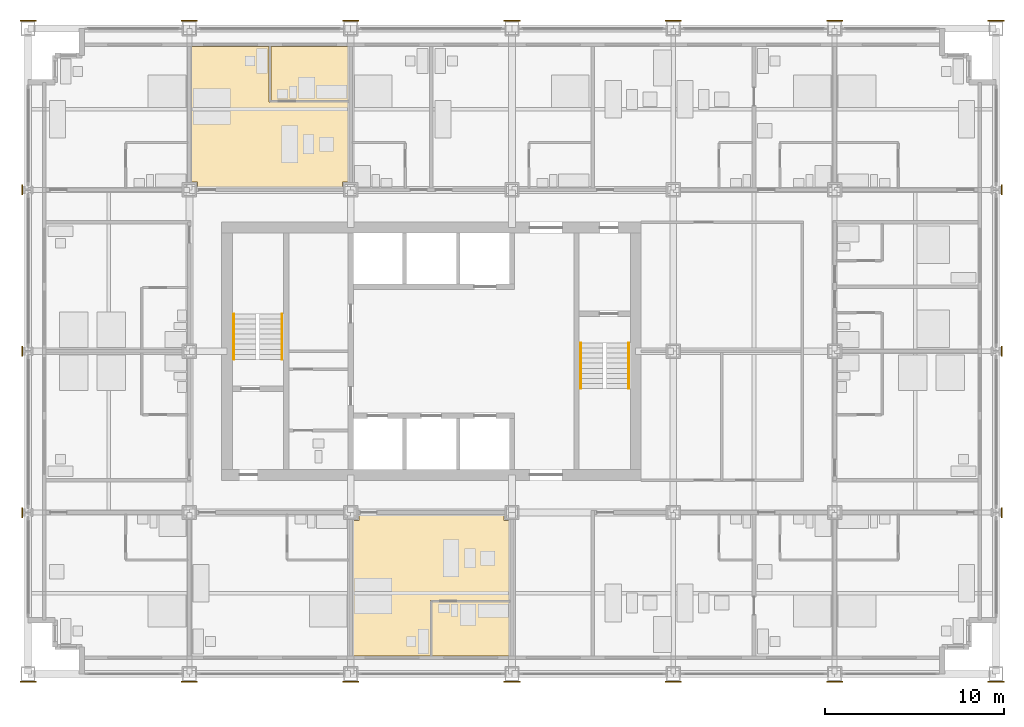
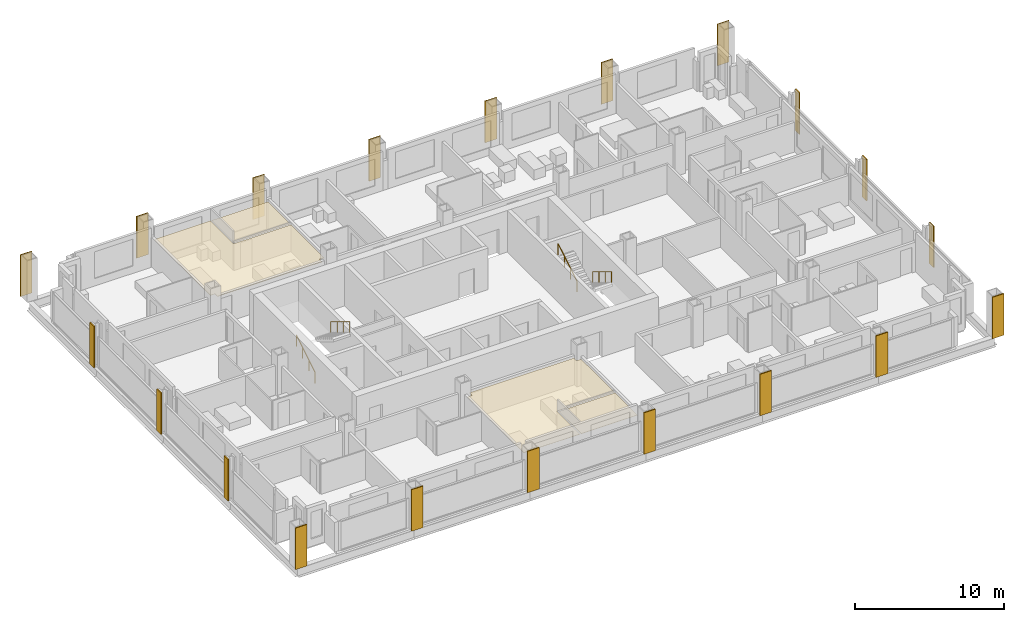
# One storey, part 16 of 18: 24 coverings, 4 railings.
"""IFC4 building model written with IfcOpenShell, lengths in metres."""

import ifcopenshell
import ifcopenshell.guid

model = None  # the IFC model being written
_history = None  # IfcOwnerHistory: only IFC2X3 demands one
_inside = {}  # id of a spatial element -> (the spatial element, [elements in it])
_under = {}  # id of a project, library or spatial element -> (it, [spatial elements below it])
_declared = {}  # id of a project -> (the project, [libraries it declares])
_typed = {}  # id of a type object -> (the type object, [elements of that type])
_made_of = {}  # id of a material, layer set ... -> (it, [elements and type objects made of it])


def new_model(schema):
    """Start an empty IFC model of exactly this schema.

    Asked for "IFC4X3", IfcOpenShell would pick the latest addendum, in which some entities
    have other attributes; the version numbers below select the first issue.
    IFC2X3 requires an IfcOwnerHistory on every rooted entity: one is made here for all.
    """
    global model, _history
    if schema == "IFC4X3":
        model = ifcopenshell.file(schema_version=(4, 3, 0, 0))
    else:
        model = ifcopenshell.file(schema=schema)
    _inside.clear()
    _under.clear()
    _declared.clear()
    _typed.clear()
    _made_of.clear()
    _history = None
    if model.schema == "IFC2X3":
        org = make("IfcOrganization", Name="unknown")
        user = make(
            "IfcPersonAndOrganization",
            ThePerson=make("IfcPerson", FamilyName="unknown"),
            TheOrganization=org,
        )
        app = make(
            "IfcApplication",
            ApplicationDeveloper=org,
            Version="unknown",
            ApplicationFullName="unknown",
            ApplicationIdentifier="unknown",
        )
        _history = make(
            "IfcOwnerHistory",
            OwningUser=user,
            OwningApplication=app,
            ChangeAction="ADDED",
            CreationDate=0,
        )
    return model


def make(cls, **values):
    """One entity of the class cls with the attributes given. An attribute that is None is left unset."""
    return model.create_entity(
        cls, **{name: value for name, value in values.items() if value is not None}
    )


def rooted(cls, **values):
    """An entity with a GlobalId (a new one), such as an element, a storey or a relation."""
    return make(cls, GlobalId=ifcopenshell.guid.new(), OwnerHistory=_history, **values)


def si_unit(unit_type, name, prefix=None):
    """IfcSIUnit, for example si_unit("LENGTHUNIT", "METRE", prefix="MILLI")."""
    return make("IfcSIUnit", UnitType=unit_type, Prefix=prefix, Name=name)


def assignment(units):
    """IfcUnitAssignment: the units of a project."""
    return None if units is None else make("IfcUnitAssignment", Units=units)


def point(xyz):
    """IfcCartesianPoint."""
    return None if xyz is None else make("IfcCartesianPoint", Coordinates=xyz)


def direction(xyz):
    """IfcDirection."""
    return None if xyz is None else make("IfcDirection", DirectionRatios=xyz)


def frame(location, z_axis=None, x_axis=None):
    """IfcAxis2Placement3D, a coordinate frame: its origin and axes. An axis left out is left unset."""
    return make(
        "IfcAxis2Placement3D",
        Location=point(location),
        Axis=direction(z_axis),
        RefDirection=direction(x_axis),
    )


def frame_2d(location, x_axis=None):
    """IfcAxis2Placement2D, a coordinate frame in the plane: its origin and x axis."""
    return make(
        "IfcAxis2Placement2D", Location=point(location), RefDirection=direction(x_axis)
    )


def origin():
    """The frame at (0, 0, 0) with its axes left unset."""
    return frame((0.0, 0.0, 0.0))


def origin_2d():
    """The frame at (0, 0) in the plane with its x axis left unset."""
    return frame_2d((0.0, 0.0))


def place(relative_to, where):
    """IfcLocalPlacement: puts the frame where relative to a parent placement (None: the world)."""
    return make(
        "IfcLocalPlacement", PlacementRelTo=relative_to, RelativePlacement=where
    )


def context(
    kind, dimensions, precision=None, world=None, true_north=None, identifier=None
):
    """IfcGeometricRepresentationContext, for example the 3D "Model" context."""
    return make(
        "IfcGeometricRepresentationContext",
        ContextIdentifier=identifier,
        ContextType=kind,
        CoordinateSpaceDimension=dimensions,
        Precision=precision,
        WorldCoordinateSystem=world,
        TrueNorth=true_north,
    )


def subcontext(parent, identifier, kind, view, scale=None):
    """IfcGeometricRepresentationSubContext, for example "Body" below "Model"."""
    return make(
        "IfcGeometricRepresentationSubContext",
        ContextIdentifier=identifier,
        ContextType=kind,
        ParentContext=parent,
        TargetScale=scale,
        TargetView=view,
    )


def project(units=None, contexts=None):
    """IfcProject with its units and contexts."""
    return rooted(
        "IfcProject",
        Name="project",
        RepresentationContexts=contexts,
        UnitsInContext=assignment(units),
    )


def spatial(cls, under=None, at=None, **own):
    """A site, building, storey or space (cls), placed at a placement, below another one or the project."""
    s = rooted(cls, ObjectPlacement=at, **own)
    if under is not None:
        _under.setdefault(under.id(), (under, []))[1].append(s)
    return s


def polyline(points):
    """IfcPolyline through the points."""
    return make("IfcPolyline", Points=[point(p) for p in points])


def profile(cls, at=None, kind="AREA", **sizes):
    """A parametric profile (cls). Its sizes go by their IFC names, for example OverallWidth=200.0."""
    return make(cls, ProfileType=kind, Position=at, **sizes)


def rectangle(**sizes):
    """IfcRectangleProfileDef."""
    return profile("IfcRectangleProfileDef", **sizes)


def circle(**sizes):
    """IfcCircleProfileDef."""
    return profile("IfcCircleProfileDef", **sizes)


def outline(outer, holes=None, kind="AREA"):
    """IfcArbitraryClosedProfileDef: a profile drawn as a closed curve; with holes, ...WithVoids."""
    if holes is None:
        return make("IfcArbitraryClosedProfileDef", ProfileType=kind, OuterCurve=outer)
    return make(
        "IfcArbitraryProfileDefWithVoids",
        ProfileType=kind,
        OuterCurve=outer,
        InnerCurves=holes,
    )


def extrude(swept, where, along, depth):
    """IfcExtrudedAreaSolid: the profile swept, set in the frame where, extruded along a direction by depth."""
    return make(
        "IfcExtrudedAreaSolid",
        SweptArea=swept,
        Position=where,
        ExtrudedDirection=direction(along),
        Depth=depth,
    )


def shape(context_of_items, identifier, shape_type, items):
    """IfcShapeRepresentation: the items that make up one representation, for example the "Body"."""
    return make(
        "IfcShapeRepresentation",
        ContextOfItems=context_of_items,
        RepresentationIdentifier=identifier,
        RepresentationType=shape_type,
        Items=items,
    )


def material(Name=None, Category=None):
    """IfcMaterial."""
    return make("IfcMaterial", Name=Name, Category=Category)


def layer(
    of_material, thickness, ventilated=None, Name=None, Category=None, Priority=None
):
    """IfcMaterialLayer: one layer of a wall or slab, of a material (None: an air gap)."""
    return make(
        "IfcMaterialLayer",
        Material=of_material,
        LayerThickness=thickness,
        IsVentilated=ventilated,
        Name=Name,
        Category=Category,
        Priority=Priority,
    )


def layer_set(layers, Name=None):
    """IfcMaterialLayerSet."""
    return make("IfcMaterialLayerSet", MaterialLayers=layers, LayerSetName=Name)


def made_of(thing, what):
    """Note that an element or type object is made of a material, layer set ...; save() writes the relation."""
    if what is not None:
        _made_of.setdefault(what.id(), (what, []))[1].append(thing)
    return thing


def type_object(cls, material=None, **own):
    """A type object (cls), such as IfcWallType, which elements share."""
    return made_of(rooted(cls, **own), material)


def element(
    cls,
    number,
    at=None,
    inside=None,
    cuts=None,
    type_object=None,
    material=None,
    context=None,
    identifier="Body",
    shape_type=None,
    held_by="IfcProductDefinitionShape",
    body=None,
    shapes=None,
    **own,
):
    """One element of the class cls, such as IfcWall. Its Tag is "e" and its number.

    at: its placement. inside: the storey or other place that contains it. cuts: it is an
    opening in that element (IfcRelVoidsElement). A single representation is given by context,
    identifier, shape_type and body (its items); several are given by shapes. held_by: the class
    of the entity that holds the representations. save() writes the other relations.
    """
    e = rooted(cls, Tag="e%d" % number, ObjectPlacement=at, **own)
    if body is not None:
        shapes = [shape(context, identifier, shape_type, body)]
    if shapes is not None:
        e.Representation = make(held_by, Representations=shapes)
    if inside is not None:
        _inside.setdefault(inside.id(), (inside, []))[1].append(e)
    if cuts is not None:
        rooted(
            "IfcRelVoidsElement", RelatingBuildingElement=cuts, RelatedOpeningElement=e
        )
    if type_object is not None:
        _typed.setdefault(type_object.id(), (type_object, []))[1].append(e)
    return made_of(e, material)


def aggregate(whole, parts):
    """IfcRelAggregates: a whole, such as a stair, and the parts it consists of."""
    return rooted("IfcRelAggregates", RelatingObject=whole, RelatedObjects=parts)


def save(model, path):
    """Write the relations noted so far, then the file.

    IfcRelAggregates (storeys below a building ...), IfcRelContainedInSpatialStructure (elements
    in a storey), IfcRelDefinesByType, IfcRelAssociatesMaterial and IfcRelDeclares: one each for
    every whole, place, type object, material and project.
    """
    for whole, parts in _under.values():
        aggregate(whole, parts)
    for where, things in _inside.values():
        rooted(
            "IfcRelContainedInSpatialStructure",
            RelatedElements=things,
            RelatingStructure=where,
        )
    for kind, things in _typed.values():
        rooted("IfcRelDefinesByType", RelatedObjects=things, RelatingType=kind)
    for what, things in _made_of.values():
        rooted("IfcRelAssociatesMaterial", RelatedObjects=things, RelatingMaterial=what)
    for by, libraries in _declared.values():
        rooted("IfcRelDeclares", RelatingContext=by, RelatedDefinitions=libraries)
    model.write(path)


model = new_model("IFC4")

# Units and contexts
model_context = context("Model", 3, precision=1e-05, world=origin(), true_north=direction((0.0, 1.0)))
body_context = subcontext(model_context, "Body", "Model", "MODEL_VIEW")
ifc_project = project(units=[si_unit("LENGTHUNIT", "METRE"), si_unit("AREAUNIT", "SQUARE_METRE"), si_unit("VOLUMEUNIT", "CUBIC_METRE"), si_unit("PLANEANGLEUNIT", "RADIAN"), si_unit("MASSUNIT", "GRAM", prefix="KILO")], contexts=[model_context])

# Site, building, storey
site_placement = place(None, origin())
site = spatial("IfcSite", under=ifc_project, at=site_placement, CompositionType="ELEMENT")
building_placement = place(site_placement, origin())
building = spatial("IfcBuilding", under=site, at=building_placement, Name="Loomwork Tower", CompositionType="ELEMENT")
storey_placement = place(building_placement, frame((0.0, 0.0, 75.60009765625)))
storey = spatial("IfcBuildingStorey", under=building, at=storey_placement, Name="L19", CompositionType="ELEMENT", Elevation=75.60009765625)

# Railings
ifc_material_1 = material(Name="Stainless steel handrail", Category="steel")
railing_type = type_object("IfcRailingType", Name="Handrail 900", PredefinedType="HANDRAIL", material=ifc_material_1)
railing_1_placement = place(storey_placement, frame((11.485107421875, 17.550048828125, 0.169921875)))
element("IfcRailing", 1, at=railing_1_placement, inside=storey, type_object=railing_type, Name="Stair A handrail flight 1 L19", PredefinedType="HANDRAIL", context=body_context, shape_type="SweptSolid", body=[
    extrude(circle(Radius=0.02392578125, at=origin_2d()), frame((0.0, 0.0, 0.8759765625), z_axis=(0.0, 0.85478489116, 0.518982456201), x_axis=(-1.0, 0.0, 0.0)), (0.0, 0.0, 1.0), 2.9482421875),
    extrude(circle(Radius=0.02099609375, at=origin_2d()), origin(), (0.0, 0.0, 1.0), 0.851806640625),
    extrude(circle(Radius=0.02099609375, at=origin_2d()), frame((0.0, 0.840087890625, 0.510009765625)), (0.0, 0.0, 1.0), 0.851806640625),
    extrude(circle(Radius=0.02099609375, at=origin_2d()), frame((0.0, 1.679931640625, 1.02001953125)), (0.0, 0.0, 1.0), 0.851806640625),
    extrude(circle(Radius=0.02099609375, at=origin_2d()), frame((0.0, 2.52001953125, 1.530029296875)), (0.0, 0.0, 1.0), 0.851806640625),
])
for number, where, name in (
    (2, (14.1650390625, 20.070068359375, 1.869873046875), "Stair A handrail flight 2 L19"),
    (3, (33.514892578125, 18.449951171875, 0.169921875), "Stair B handrail flight 1 L19"),
):
    element("IfcRailing", number, at=place(storey_placement, frame(where)), inside=storey, type_object=railing_type, Name=name, PredefinedType="HANDRAIL", context=body_context, shape_type="SweptSolid", body=[
        extrude(circle(Radius=0.02392578125, at=origin_2d()), frame((0.0, 0.0, 0.8759765625), z_axis=(0.0, -0.85478489116, 0.518982456201), x_axis=(1.0, 0.0, 0.0)), (0.0, 0.0, 1.0), 2.9482421875),
        extrude(circle(Radius=0.02099609375, at=origin_2d()), origin(), (0.0, 0.0, 1.0), 0.851806640625),
        extrude(circle(Radius=0.02099609375, at=origin_2d()), frame((0.0, -0.840087890625, 0.510009765625)), (0.0, 0.0, 1.0), 0.851806640625),
        extrude(circle(Radius=0.02099609375, at=origin_2d()), frame((0.0, -1.679931640625, 1.02001953125)), (0.0, 0.0, 1.0), 0.851806640625),
        extrude(circle(Radius=0.02099609375, at=origin_2d()), frame((0.0, -2.52001953125, 1.530029296875)), (0.0, 0.0, 1.0), 0.851806640625),
    ])
railing_2_placement = place(storey_placement, frame((30.8349609375, 15.929931640625, 1.869873046875)))
element("IfcRailing", 4, at=railing_2_placement, inside=storey, type_object=railing_type, Name="Stair B handrail flight 2 L19", PredefinedType="HANDRAIL", context=body_context, shape_type="SweptSolid", body=[
    extrude(circle(Radius=0.02392578125, at=origin_2d()), frame((0.0, 0.0, 0.8759765625), z_axis=(0.0, 0.85478489116, 0.518982456201), x_axis=(-1.0, 0.0, 0.0)), (0.0, 0.0, 1.0), 2.9482421875),
    extrude(circle(Radius=0.02099609375, at=origin_2d()), origin(), (0.0, 0.0, 1.0), 0.851806640625),
    extrude(circle(Radius=0.02099609375, at=origin_2d()), frame((0.0, 0.840087890625, 0.510009765625)), (0.0, 0.0, 1.0), 0.851806640625),
    extrude(circle(Radius=0.02099609375, at=origin_2d()), frame((0.0, 1.679931640625, 1.02001953125)), (0.0, 0.0, 1.0), 0.851806640625),
    extrude(circle(Radius=0.02099609375, at=origin_2d()), frame((0.0, 2.52001953125, 1.530029296875)), (0.0, 0.0, 1.0), 0.851806640625),
])

# Coverings
ifc_material_2 = material(Name="Limestone", Category="masonry")
ifc_layer_1 = layer(ifc_material_2, 0.080078125)
ifc_layer_set_1 = layer_set([ifc_layer_1], Name="Limestone pier facing 80")
covering_type_1 = type_object("IfcCoveringType", Name="Limestone pier facing 80", PredefinedType="CLADDING", material=ifc_layer_set_1)
covering_1_placement = place(storey_placement, frame((0.0, -0.43994140625, 0.0), z_axis=(0.0, 0.0, 1.0), x_axis=(1.0, 0.0, 0.0)))
element("IfcCovering", 5, at=covering_1_placement, inside=storey, type_object=covering_type_1, Name="Pier facing D/2 L19", PredefinedType="CLADDING", context=body_context, shape_type="SweptSolid", body=[
    extrude(rectangle(XDim=0.89990234375, YDim=0.080078125, at=origin_2d()), origin(), (0.0, 0.0, 1.0), 3.39990234375),
])
for number, where, z_axis, x_axis, name in (
    (6, (-0.324462890625, 9.0, 0.0), (0.0, 0.0, 1.0), (1.0, 0.0, 0.0), "Pier facing E/2 L19"),
    (7, (-0.324462890625, 18.0, 0.0), (0.0, 0.0, 1.0), (1.0, 0.0, 0.0), "Pier facing F/2 L19"),
    (8, (-0.324462890625, 27.0, 0.0), (0.0, 0.0, 1.0), (1.0, 0.0, 0.0), "Pier facing G/2 L19"),
):
    element("IfcCovering", number, at=place(storey_placement, frame(where, z_axis=z_axis, x_axis=x_axis)), inside=storey, type_object=covering_type_1, Name=name, PredefinedType="CLADDING", context=body_context, shape_type="SweptSolid", body=[
        extrude(rectangle(XDim=0.080078125, YDim=0.5546875, at=origin_2d()), origin(), (0.0, 0.0, 1.0), 3.39990234375),
    ])
for number, where, z_axis, x_axis, name in (
    (9, (0.0, 36.43994140625, 0.0), (0.0, 0.0, 1.0), (1.0, 0.0, 0.0), "Pier facing H/2 L19"),
    (10, (9.0, -0.43994140625, 0.0), (0.0, 0.0, 1.0), (1.0, 0.0, 0.0), "Pier facing D/3 L19"),
    (11, (9.0, 36.43994140625, 0.0), (0.0, 0.0, 1.0), (1.0, 0.0, 0.0), "Pier facing H/3 L19"),
    (12, (18.0, -0.43994140625, 0.0), (0.0, 0.0, 1.0), (1.0, 0.0, 0.0), "Pier facing D/4 L19"),
    (13, (18.0, 36.43994140625, 0.0), (0.0, 0.0, 1.0), (1.0, 0.0, 0.0), "Pier facing H/4 L19"),
    (14, (27.0, -0.43994140625, 0.0), (0.0, 0.0, 1.0), (1.0, 0.0, 0.0), "Pier facing D/5 L19"),
    (15, (27.0, 36.43994140625, 0.0), (0.0, 0.0, 1.0), (1.0, 0.0, 0.0), "Pier facing H/5 L19"),
    (16, (36.0, -0.43994140625, 0.0), (0.0, 0.0, 1.0), (1.0, 0.0, 0.0), "Pier facing D/6 L19"),
    (17, (36.0, 36.43994140625, 0.0), (0.0, 0.0, 1.0), (1.0, 0.0, 0.0), "Pier facing H/6 L19"),
    (18, (45.0, -0.43994140625, 0.0), (0.0, 0.0, 1.0), (1.0, 0.0, 0.0), "Pier facing D/7 L19"),
    (19, (45.0, 36.43994140625, 0.0), (0.0, 0.0, 1.0), (1.0, 0.0, 0.0), "Pier facing H/7 L19"),
    (20, (54.0, -0.43994140625, 0.0), (0.0, 0.0, 1.0), (1.0, 0.0, 0.0), "Pier facing D/8 L19"),
):
    element("IfcCovering", number, at=place(storey_placement, frame(where, z_axis=z_axis, x_axis=x_axis)), inside=storey, type_object=covering_type_1, Name=name, PredefinedType="CLADDING", context=body_context, shape_type="SweptSolid", body=[
        extrude(rectangle(XDim=0.89990234375, YDim=0.080078125, at=origin_2d()), origin(), (0.0, 0.0, 1.0), 3.39990234375),
    ])
for number, where, z_axis, x_axis, name in (
    (21, (54.324462890625, 9.0, 0.0), (0.0, 0.0, 1.0), (1.0, 0.0, 0.0), "Pier facing E/8 L19"),
    (22, (54.324462890625, 18.0, 0.0), (0.0, 0.0, 1.0), (1.0, 0.0, 0.0), "Pier facing F/8 L19"),
    (23, (54.324462890625, 27.0, 0.0), (0.0, 0.0, 1.0), (1.0, 0.0, 0.0), "Pier facing G/8 L19"),
):
    element("IfcCovering", number, at=place(storey_placement, frame(where, z_axis=z_axis, x_axis=x_axis)), inside=storey, type_object=covering_type_1, Name=name, PredefinedType="CLADDING", context=body_context, shape_type="SweptSolid", body=[
        extrude(rectangle(XDim=0.080078125, YDim=0.5546875, at=origin_2d()), origin(), (0.0, 0.0, 1.0), 3.39990234375),
    ])
covering_2_placement = place(storey_placement, frame((54.0, 36.43994140625, 0.0), z_axis=(0.0, 0.0, 1.0), x_axis=(1.0, 0.0, 0.0)))
element("IfcCovering", 24, at=covering_2_placement, inside=storey, type_object=covering_type_1, Name="Pier facing H/8 L19", PredefinedType="CLADDING", context=body_context, shape_type="SweptSolid", body=[
    extrude(rectangle(XDim=0.89990234375, YDim=0.080078125, at=origin_2d()), origin(), (0.0, 0.0, 1.0), 3.39990234375),
])
ifc_material_3 = material(Name="Mineral fibre acoustic tile on suspension grid")
ifc_layer_2 = layer(ifc_material_3, 0.02490234375)
ifc_layer_set_2 = layer_set([ifc_layer_2], Name="Suspended acoustic ceiling")
covering_type_2 = type_object("IfcCoveringType", Name="Suspended acoustic ceiling", PredefinedType="CEILING", material=ifc_layer_set_2)
covering_3_placement = place(storey_placement, frame((0.0, 0.0, 2.1748046875)))
element("IfcCovering", 25, at=covering_3_placement, inside=storey, type_object=covering_type_2, Name="Ceiling Spa bathroom L19", PredefinedType="CEILING", context=body_context, shape_type="SweptSolid", body=[
    extrude(outline(polyline([(26.89990234375, 4.0), (26.89990234375, 1.0), (22.550048828125, 1.0), (22.550048828125, 4.0), (26.89990234375, 4.0)])), origin(), (0.0, 0.0, 1.0), 0.025146484375),
])
covering_4_placement = place(storey_placement, frame((0.0, 0.0, 2.1748046875)))
element("IfcCovering", 26, at=covering_4_placement, inside=storey, type_object=covering_type_2, Name="Ceiling Spa suite L19", PredefinedType="CEILING", context=body_context, shape_type="SweptSolid", body=[
    extrude(outline(polyline([(26.550048828125, 8.89990234375), (26.550048828125, 8.550048828125), (26.89990234375, 8.550048828125), (26.89990234375, 4.10009765625), (22.449951171875, 4.10009765625), (22.449951171875, 1.0), (18.10009765625, 1.0), (18.10009765625, 8.550048828125), (18.449951171875, 8.550048828125), (18.449951171875, 8.89990234375), (26.550048828125, 8.89990234375)])), origin(), (0.0, 0.0, 1.0), 0.025146484375),
])
covering_5_placement = place(storey_placement, frame((0.0, 0.0, 2.1748046875)))
element("IfcCovering", 27, at=covering_5_placement, inside=storey, type_object=covering_type_2, Name="Ceiling Spa bathroom L19", PredefinedType="CEILING", context=body_context, shape_type="SweptSolid", body=[
    extrude(outline(polyline([(13.550048828125, 35.0), (17.89990234375, 35.0), (17.89990234375, 32.0), (13.550048828125, 32.0), (13.550048828125, 35.0)])), origin(), (0.0, 0.0, 1.0), 0.025146484375),
])
covering_6_placement = place(storey_placement, frame((0.0, 0.0, 2.1748046875)))
element("IfcCovering", 28, at=covering_6_placement, inside=storey, type_object=covering_type_2, Name="Ceiling Spa suite L19", PredefinedType="CEILING", context=body_context, shape_type="SweptSolid", body=[
    extrude(outline(polyline([(9.10009765625, 35.0), (13.449951171875, 35.0), (13.449951171875, 31.89990234375), (17.89990234375, 31.89990234375), (17.89990234375, 27.449951171875), (17.550048828125, 27.449951171875), (17.550048828125, 27.10009765625), (9.449951171875, 27.10009765625), (9.449951171875, 27.449951171875), (9.10009765625, 27.449951171875), (9.10009765625, 35.0)])), origin(), (0.0, 0.0, 1.0), 0.025146484375),
])

save(model, "model.ifc")
